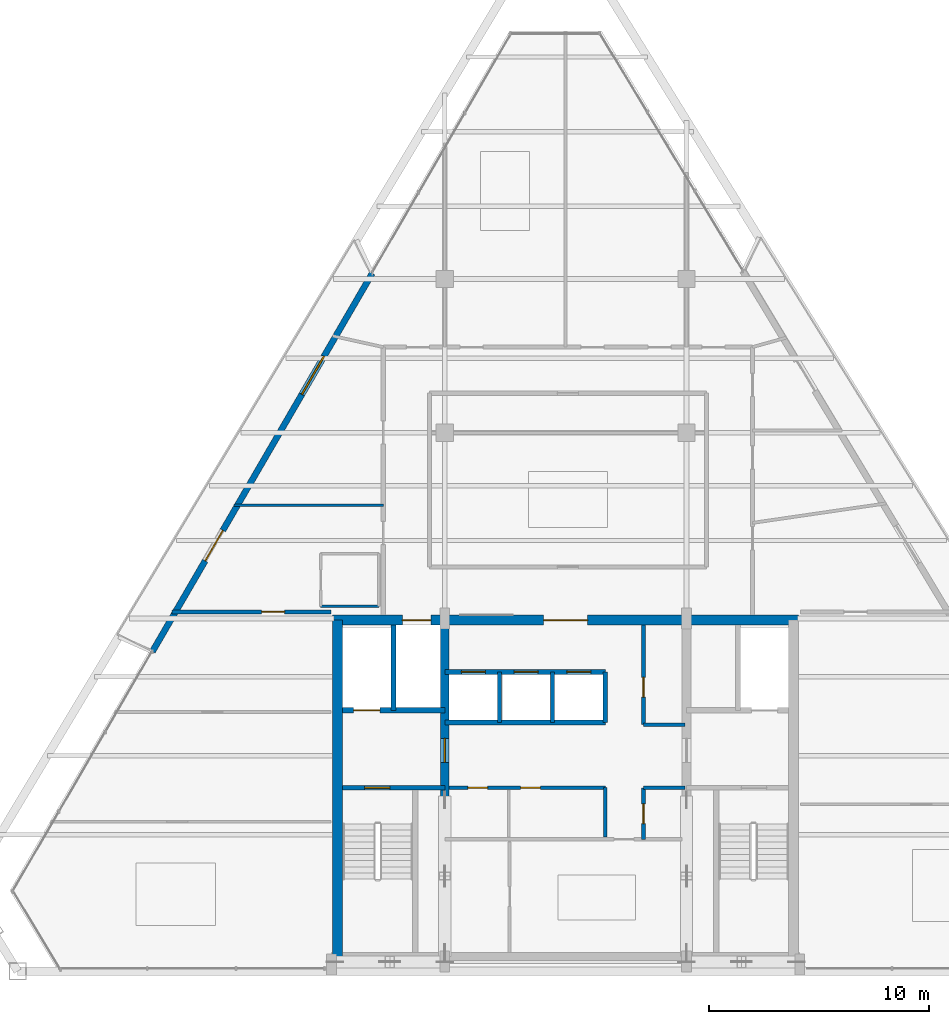
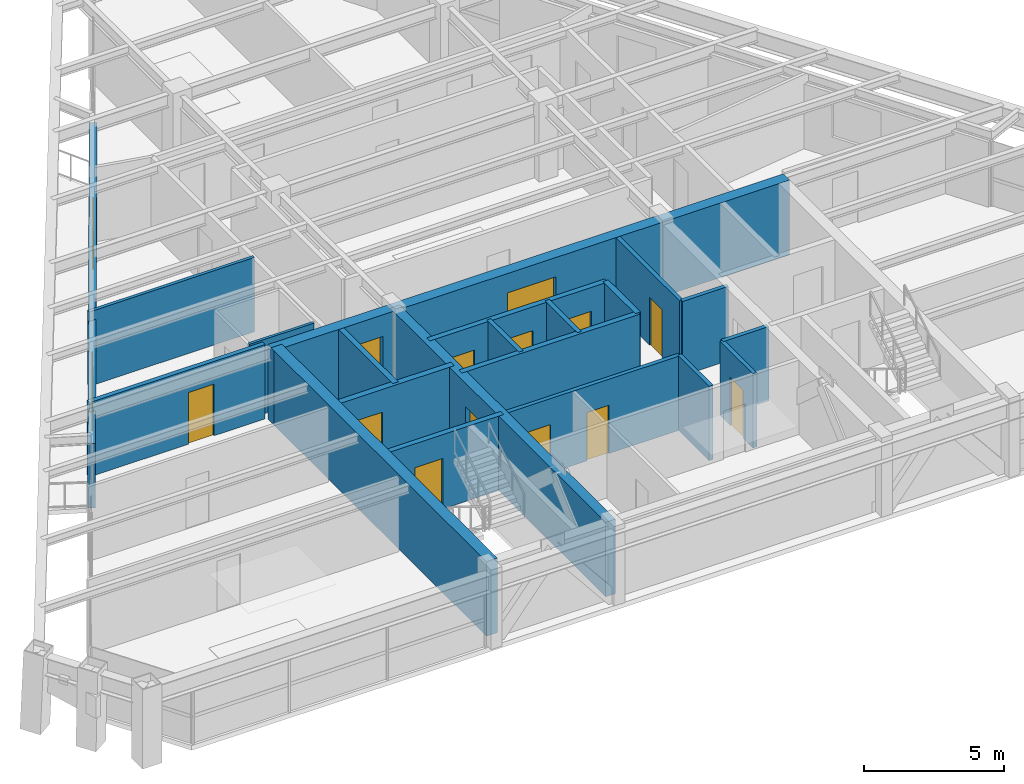
# One storey, part 9 of 13: 21 walls, 14 doors, 1 window, 15 openings.
"""IFC4 building model written with IfcOpenShell, lengths in metres."""

from ifc_helpers import new_model, si_unit, direction, frame, frame_2d, origin, place, context, subcontext, project, spatial, rectangle, extrude, source, transform, mapped, material, layer, layer_set, type_object, type_shapes, element, fill, save


model = new_model("IFC4")

# Units and contexts
model_context = context("Model", 3, precision=1e-05, world=origin(), true_north=direction((0.0, 1.0)))
body_context = subcontext(model_context, "Body", "Model", "MODEL_VIEW")
ifc_project = project(units=[si_unit("LENGTHUNIT", "METRE"), si_unit("AREAUNIT", "SQUARE_METRE"), si_unit("VOLUMEUNIT", "CUBIC_METRE"), si_unit("PLANEANGLEUNIT", "RADIAN"), si_unit("MASSUNIT", "GRAM", prefix="KILO")], contexts=[model_context])

# Site, building, storey
site_placement = place(None, origin())
site = spatial("IfcSite", under=ifc_project, at=site_placement, CompositionType="ELEMENT")
building_placement = place(site_placement, origin())
building = spatial("IfcBuilding", under=site, at=building_placement, Name="Varnakhor Terracotta Tower", CompositionType="ELEMENT")
storey_placement = place(building_placement, frame((0.0, 0.0, 262.64990234375)))
storey = spatial("IfcBuildingStorey", under=building, at=storey_placement, Name="L68", CompositionType="ELEMENT", Elevation=262.64990234375)

# Wall
ifc_material_1 = material(Name="Moisture-Resistant Tile-Backed Partition", Category="gypsum")
ifc_layer_1 = layer(ifc_material_1, 0.114990234375, Name="Moisture-Resistant Tile-Backed Partition")
ifc_layer_set_1 = layer_set([ifc_layer_1], Name="Moisture-Resistant Tile-Backed Partition")
wall_type_1 = type_object("IfcWallType", Name="WAL-BATH-115", PredefinedType="PARTITIONING", material=ifc_layer_set_1)
wall_1_placement = place(storey_placement, frame((-11.14990234375, 16.60009765625, 0.0), z_axis=(0.0, 0.0, 1.0), x_axis=(1.0, 0.0, 0.0)))
element("IfcWall", 1, at=wall_1_placement, inside=storey, type_object=wall_type_1, Name="L68 En-Suite 1 Wall S", PredefinedType="PARTITIONING", context=body_context, shape_type="SweptSolid", body=[
    extrude(rectangle(XDim=2.64990234375, YDim=0.114990234375, at=frame_2d((1.324951171875, 0.0))), origin(), (0.0, 0.0, 1.0), 3.232177734375),
])

# Wall, openings, doors
ifc_material_2 = material(Name="Concrete C50/60", Category="concrete")
ifc_layer_2 = layer(ifc_material_2, 0.449951171875, Name="Concrete C50/60")
ifc_layer_set_2 = layer_set([ifc_layer_2], Name="Concrete C50/60")
wall_type_2 = type_object("IfcWallType", Name="WAL-CORE-450", PredefinedType="SHEAR", material=ifc_layer_set_2)
wall_2_placement = place(storey_placement, frame((-10.60009765625, 15.97509765625, 0.0), z_axis=(0.0, 0.0, 1.0), x_axis=(1.0, 0.0, 0.0)))
wall_2 = element("IfcWall", 2, at=wall_2_placement, inside=storey, type_object=wall_type_2, Name="L68 North Core Shear Wall", PredefinedType="SHEAR", context=body_context, shape_type="SweptSolid", body=[
    extrude(rectangle(XDim=21.2001953125, YDim=0.449951171875, at=frame_2d((10.60009765625, 0.0))), origin(), (0.0, 0.0, 1.0), 3.239990234375),
])
opening_1_placement = place(wall_2_placement, frame((3.169921875, 0.0, 0.0)))
opening_1 = element("IfcOpeningElement", 3, at=opening_1_placement, cuts=wall_2, Name="Opening LD-03", PredefinedType="OPENING", context=body_context, shape_type="SweptSolid", body=[
    extrude(rectangle(XDim=1.300048828125, YDim=2.300048828125, at=frame_2d((0.64990234375, 1.14990234375))), frame((0.0, 0.23486328125, 0.0), z_axis=(0.0, -1.0, 0.0), x_axis=(1.0, 0.0, 0.0)), (0.0, 0.0, 1.0), 0.469970703125),
])
opening_2_placement = place(wall_2_placement, frame((9.60009765625, 0.0, 0.0)))
opening_2 = element("IfcOpeningElement", 4, at=opening_2_placement, cuts=wall_2, Name="Opening DR-32", PredefinedType="OPENING", context=body_context, shape_type="SweptSolid", body=[
    extrude(rectangle(XDim=2.0, YDim=2.39990234375, at=frame_2d((1.0, 1.199951171875))), frame((0.0, 0.23486328125, 0.0), z_axis=(0.0, -1.0, 0.0), x_axis=(1.0, 0.0, 0.0)), (0.0, 0.0, 1.0), 0.469970703125),
])
ifc_material_3 = material(Name="Heavy-Duty Goods Sliding Lift Landing Door", Category="steel")
door_type_1 = type_object("IfcDoorType", Name="LD-SRV-1300X2300", OperationType="NOTDEFINED", PredefinedType="DOOR", material=ifc_material_3)
shared_shape_1 = source(origin(), body_context, "Body", "SweptSolid", [
    extrude(rectangle(XDim=1.300048828125, YDim=2.300048828125, at=frame_2d((0.64990234375, 1.14990234375))), frame((0.0, 0.02490234375, 0.0), z_axis=(0.0, -1.0, 0.0), x_axis=(1.0, 0.0, 0.0)), (0.0, 0.0, 1.0), 0.050048828125),
])
type_shapes(door_type_1, [shared_shape_1])
door_1_placement = place(opening_1_placement, origin())
door_1 = element("IfcDoor", 5, at=door_1_placement, inside=storey, type_object=door_type_1, Name="L68 Service Lift SVL-1 Landing Door", OperationType="SLIDING_TO_RIGHT", OverallHeight=2.300048828125, OverallWidth=1.300048828125, PredefinedType="DOOR", context=body_context, shape_type="MappedRepresentation", body=[
    mapped(shared_shape_1, transform((0.0, 0.0, 0.0), scale=1.0)),
])
fill(opening_1, door_1)
ifc_material_4 = material(Name="Acoustic Double Assembly Fire Door", Category="wood")
door_type_2 = type_object("IfcDoorType", Name="DR-HALL-2000X2400", OperationType="NOTDEFINED", PredefinedType="DOOR", material=ifc_material_4)
shared_shape_2 = source(origin(), body_context, "Body", "SweptSolid", [
    extrude(rectangle(XDim=2.0, YDim=2.39990234375, at=frame_2d((1.0, 1.199951171875))), frame((0.0, 0.02490234375, 0.0), z_axis=(0.0, -1.0, 0.0), x_axis=(1.0, 0.0, 0.0)), (0.0, 0.0, 1.0), 0.050048828125),
])
type_shapes(door_type_2, [shared_shape_2])
door_2_placement = place(opening_2_placement, origin())
door_2 = element("IfcDoor", 6, at=door_2_placement, inside=storey, type_object=door_type_2, Name="L68 Core Main Lobby Double Door", OperationType="DOUBLE_DOOR_SINGLE_SWING", OverallHeight=2.39990234375, OverallWidth=2.0, PredefinedType="DOOR", context=body_context, shape_type="MappedRepresentation", body=[
    mapped(shared_shape_2, transform((0.0, 0.0, 0.0), scale=1.0)),
])
fill(opening_2, door_2)

# Wall
wall_3_placement = place(storey_placement, frame((-10.375, 0.625, 0.0), z_axis=(0.0, 0.0, 1.0), x_axis=(0.0, 1.0, 0.0)))
element("IfcWall", 7, at=wall_3_placement, inside=storey, type_object=wall_type_2, Name="L68 West Core Shear Wall", PredefinedType="SHEAR", context=body_context, shape_type="SweptSolid", body=[
    extrude(rectangle(XDim=15.35009765625, YDim=0.449951171875, at=frame_2d((7.675048828125, 0.0))), origin(), (0.0, 0.0, 1.0), 3.239990234375),
])

# Wall, opening, door
ifc_layer_3 = layer(ifc_material_2, 0.39990234375, Name="Concrete C50/60")
ifc_layer_set_3 = layer_set([ifc_layer_3], Name="Concrete C50/60")
wall_type_3 = type_object("IfcWallType", Name="WAL-CORE-WEB-400", PredefinedType="SHEAR", material=ifc_layer_set_3)
wall_4_placement = place(storey_placement, frame((-5.5, 0.625, 0.0), z_axis=(0.0, 0.0, 1.0), x_axis=(0.0, 1.0, 0.0)))
wall_4 = element("IfcWall", 8, at=wall_4_placement, inside=storey, type_object=wall_type_3, Name="L68 West Core Web Shear Wall", PredefinedType="SHEAR", context=body_context, shape_type="SweptSolid", body=[
    extrude(rectangle(XDim=15.35009765625, YDim=0.39990234375, at=frame_2d((7.675048828125, 0.0))), origin(), (0.0, 0.0, 1.0), 3.239990234375),
])
opening_3_placement = place(wall_4_placement, frame((8.875, 0.0, 0.0)))
opening_3 = element("IfcOpeningElement", 9, at=opening_3_placement, cuts=wall_4, Name="Opening DR-25", PredefinedType="OPENING", context=body_context, shape_type="SweptSolid", body=[
    extrude(rectangle(XDim=1.10009765625, YDim=2.199951171875, at=frame_2d((0.550048828125, 1.10009765625))), frame((0.0, 0.2099609375, 0.0), z_axis=(0.0, -1.0, 0.0), x_axis=(1.0, 0.0, 0.0)), (0.0, 0.0, 1.0), 0.419921875),
])
ifc_material_5 = material(Name="Firefighting Lobby Self-Closing Fire Door", Category="steel")
door_type_3 = type_object("IfcDoorType", Name="DR-FFL-1100X2200", OperationType="NOTDEFINED", PredefinedType="DOOR", material=ifc_material_5)
shared_shape_3 = source(origin(), body_context, "Body", "SweptSolid", [
    extrude(rectangle(XDim=1.10009765625, YDim=2.199951171875, at=frame_2d((0.550048828125, 1.10009765625))), frame((0.0, 0.02490234375, 0.0), z_axis=(0.0, -1.0, 0.0), x_axis=(1.0, 0.0, 0.0)), (0.0, 0.0, 1.0), 0.050048828125),
])
type_shapes(door_type_3, [shared_shape_3])
door_3_placement = place(opening_3_placement, origin())
door_3 = element("IfcDoor", 10, at=door_3_placement, inside=storey, type_object=door_type_3, Name="L68 West Firefighting Lobby Door", OperationType="SINGLE_SWING_RIGHT", OverallHeight=2.199951171875, OverallWidth=1.10009765625, PredefinedType="DOOR", context=body_context, shape_type="MappedRepresentation", body=[
    mapped(shared_shape_3, transform((0.0, 0.0, 0.0), scale=1.0)),
])
fill(opening_3, door_3)

ifc_material_6 = material(Name="Fire-Rated Gypsum Stud Partition", Category="gypsum")
ifc_layer_4 = layer(ifc_material_6, 0.18505859375, Name="Fire-Rated Gypsum Stud Partition")
ifc_layer_set_4 = layer_set([ifc_layer_4], Name="Fire-Rated Gypsum Stud Partition")
wall_type_4 = type_object("IfcWallType", Name="WAL-CORR-185", PredefinedType="PARTITIONING", material=ifc_layer_set_4)
wall_5_placement = place(storey_placement, frame((-17.9052734375, 16.35009765625, 0.0), z_axis=(0.0, 0.0, 1.0), x_axis=(1.0, 0.0, 0.0)))
wall_5 = element("IfcWall", 11, at=wall_5_placement, inside=storey, type_object=wall_type_4, Name="L68 South West Guest Entry Wall", PredefinedType="PARTITIONING", context=body_context, shape_type="SweptSolid", body=[
    extrude(rectangle(XDim=7.225341796875, YDim=0.18505859375, at=frame_2d((3.61279296875, 0.0))), origin(), (0.0, 0.0, 1.0), 3.232177734375),
])
opening_4_placement = place(wall_5_placement, frame((4.0693359375, 0.0, 0.0)))
opening_4 = element("IfcOpeningElement", 12, at=opening_4_placement, cuts=wall_5, Name="Opening DR-95", PredefinedType="OPENING", context=body_context, shape_type="SweptSolid", body=[
    extrude(rectangle(XDim=1.050048828125, YDim=2.25, at=frame_2d((0.52490234375, 1.125))), frame((0.0, 0.1025390625, 0.0), z_axis=(0.0, -1.0, 0.0), x_axis=(1.0, 0.0, 0.0)), (0.0, 0.0, 1.0), 0.205078125),
])
ifc_material_7 = material(Name="Solid-Core Timber Tenant/Hotel Entrance Door", Category="wood")
door_type_4 = type_object("IfcDoorType", Name="DR-SUITE-1050X2250", OperationType="NOTDEFINED", PredefinedType="DOOR", material=ifc_material_7)
shared_shape_4 = source(origin(), body_context, "Body", "SweptSolid", [
    extrude(rectangle(XDim=1.050048828125, YDim=2.25, at=frame_2d((0.52490234375, 1.125))), frame((0.0, 0.02490234375, 0.0), z_axis=(0.0, -1.0, 0.0), x_axis=(1.0, 0.0, 0.0)), (0.0, 0.0, 1.0), 0.050048828125),
])
type_shapes(door_type_4, [shared_shape_4])
door_4_placement = place(opening_4_placement, origin())
door_4 = element("IfcDoor", 13, at=door_4_placement, inside=storey, type_object=door_type_4, Name="L68 SW Suite Entry Door", OperationType="SINGLE_SWING_LEFT", OverallHeight=2.25, OverallWidth=1.050048828125, PredefinedType="DOOR", context=body_context, shape_type="MappedRepresentation", body=[
    mapped(shared_shape_4, transform((0.0, 0.0, 0.0), scale=1.0)),
])
fill(opening_4, door_4)

# Wall, openings, door, window
ifc_material_8 = material(Name="Extruded Architectural Terracotta Assembly", Category="masonry")
ifc_layer_5 = layer(ifc_material_8, 0.280029296875, Name="Extruded Architectural Terracotta Assembly")
ifc_layer_set_5 = layer_set([ifc_layer_5], Name="Extruded Architectural Terracotta Assembly")
wall_type_5 = type_object("IfcWallType", Name="WAL-EXT-TERRACOTTA-280", PredefinedType="SOLIDWALL", material=ifc_layer_set_5)
wall_6_placement = place(storey_placement, frame((-18.8037109375, 14.54541015625, 0.0), z_axis=(0.0, 0.0, 1.0), x_axis=(0.502487235879, 0.864584627309, 0.0)))
wall_6 = element("IfcWall", 14, at=wall_6_placement, inside=storey, type_object=wall_type_5, Name="L68 W Loggia Insulated Terracotta Wall", PredefinedType="SOLIDWALL", context=body_context, shape_type="SweptSolid", body=[
    extrude(rectangle(XDim=19.908203125, YDim=0.280029296875, at=frame_2d((9.9541015625, 0.0))), origin(), (0.0, 0.0, 1.0), 2.820068359375),
])
opening_5_placement = place(wall_6_placement, frame((4.778076171875, 0.0, 0.0)))
opening_5 = element("IfcOpeningElement", 15, at=opening_5_placement, cuts=wall_6, Name="Opening DR-62", PredefinedType="OPENING", context=body_context, shape_type="SweptSolid", body=[
    extrude(rectangle(XDim=1.60009765625, YDim=2.35009765625, at=frame_2d((0.800048828125, 1.175048828125))), frame((0.0, 0.14990234375, 0.0), z_axis=(0.0, -1.0, 0.0), x_axis=(1.0, 0.0, 0.0)), (0.0, 0.0, 1.0), 0.300048828125),
])
opening_6_placement = place(wall_6_placement, frame((13.53759765625, 0.0, 0.89990234375)))
opening_6 = element("IfcOpeningElement", 16, at=opening_6_placement, cuts=wall_6, Name="Opening WN-63", PredefinedType="OPENING", context=body_context, shape_type="SweptSolid", body=[
    extrude(rectangle(XDim=2.0, YDim=1.75, at=frame_2d((1.0, 0.875))), frame((0.0, 0.14990234375, 0.0), z_axis=(0.0, -1.0, 0.0), x_axis=(1.0, 0.0, 0.0)), (0.0, 0.0, 1.0), 0.300048828125),
])
ifc_material_9 = material(Name="Thermally Broken Sliding Glass Loggia Door", Category="glass")
door_type_5 = type_object("IfcDoorType", Name="DR-EXT-LOGGIA-1600X2350", OperationType="NOTDEFINED", PredefinedType="DOOR", material=ifc_material_9)
shared_shape_5 = source(origin(), body_context, "Body", "SweptSolid", [
    extrude(rectangle(XDim=1.60009765625, YDim=2.35009765625, at=frame_2d((0.800048828125, 1.175048828125))), frame((0.0, 0.02490234375, 0.0), z_axis=(0.0, -1.0, 0.0), x_axis=(1.0, 0.0, 0.0)), (0.0, 0.0, 1.0), 0.050048828125),
])
type_shapes(door_type_5, [shared_shape_5])
door_5_placement = place(opening_5_placement, origin())
door_5 = element("IfcDoor", 17, at=door_5_placement, inside=storey, type_object=door_type_5, Name="L68 W Recessed Loggia Sliding Door", OperationType="SLIDING_TO_LEFT", OverallHeight=2.35009765625, OverallWidth=1.60009765625, PredefinedType="DOOR", context=body_context, shape_type="MappedRepresentation", body=[
    mapped(shared_shape_5, transform((0.0, 0.0, 0.0), scale=1.0)),
])
fill(opening_5, door_5)
ifc_material_10 = material(Name="Solar-Control Low-E Insulated Glass Unit", Category="glass")
window_type = type_object("IfcWindowType", Name="WIN-HTL-2000X1950", PartitioningType="SINGLE_PANEL", PredefinedType="WINDOW", material=ifc_material_10)
shared_shape_6 = source(origin(), body_context, "Body", "SweptSolid", [
    extrude(rectangle(XDim=2.0, YDim=1.75, at=frame_2d((1.0, 0.875))), frame((0.0, 0.030029296875, 0.0), z_axis=(0.0, -1.0, 0.0), x_axis=(1.0, 0.0, 0.0)), (0.0, 0.0, 1.0), 0.06005859375),
])
type_shapes(window_type, [shared_shape_6])
window_placement = place(opening_6_placement, origin())
window = element("IfcWindow", 18, at=window_placement, inside=storey, type_object=window_type, Name="L68 W Facet Punched Window", OverallHeight=1.75, OverallWidth=2.0, PartitioningType="SINGLE_PANEL", PredefinedType="WINDOW", context=body_context, shape_type="MappedRepresentation", body=[
    mapped(shared_shape_6, transform((0.0, 0.0, 0.0), scale=1.0)),
])
fill(opening_6, window)

# Wall, opening, door
ifc_material_11 = material(Name="Concrete C40/50", Category="concrete")
ifc_layer_6 = layer(ifc_material_11, 0.219970703125, Name="Concrete C40/50")
ifc_layer_set_6 = layer_set([ifc_layer_6], Name="Concrete C40/50")
wall_type_6 = type_object("IfcWallType", Name="WAL-FFLOBBY-220", PredefinedType="SOLIDWALL", material=ifc_layer_set_6)
wall_7_placement = place(storey_placement, frame((-5.5, 8.35009765625, 0.0), z_axis=(0.0, 0.0, 1.0), x_axis=(-1.0, 0.0, 0.0)))
wall_7 = element("IfcWall", 19, at=wall_7_placement, inside=storey, type_object=wall_type_6, Name="L68 West Firefighting Lobby Stair Wall", PredefinedType="SOLIDWALL", context=body_context, shape_type="SweptSolid", body=[
    extrude(rectangle(XDim=4.64990234375, YDim=0.219970703125, at=frame_2d((2.324951171875, 0.0))), origin(), (0.0, 0.0, 1.0), 3.239990234375),
])
opening_7_placement = place(wall_7_placement, frame((2.5, 0.0, 0.0)))
opening_7 = element("IfcOpeningElement", 20, at=opening_7_placement, cuts=wall_7, Name="Opening DR-34", PredefinedType="OPENING", context=body_context, shape_type="SweptSolid", body=[
    extrude(rectangle(XDim=1.14990234375, YDim=2.199951171875, at=frame_2d((0.574951171875, 1.10009765625))), frame((0.0, 0.1201171875, 0.0), z_axis=(0.0, -1.0, 0.0), x_axis=(1.0, 0.0, 0.0)), (0.0, 0.0, 1.0), 0.239990234375),
])
ifc_material_12 = material(Name="Self-Closing Smoke-Sealed Steel Fire Door", Category="steel")
door_type_6 = type_object("IfcDoorType", Name="DR-STAIR-1150X2200", OperationType="NOTDEFINED", PredefinedType="DOOR", material=ifc_material_12)
shared_shape_7 = source(origin(), body_context, "Body", "SweptSolid", [
    extrude(rectangle(XDim=1.14990234375, YDim=2.199951171875, at=frame_2d((0.574951171875, 1.10009765625))), frame((0.0, 0.02490234375, 0.0), z_axis=(0.0, -1.0, 0.0), x_axis=(1.0, 0.0, 0.0)), (0.0, 0.0, 1.0), 0.050048828125),
])
type_shapes(door_type_6, [shared_shape_7])
door_6_placement = place(opening_7_placement, origin())
door_6 = element("IfcDoor", 21, at=door_6_placement, inside=storey, type_object=door_type_6, Name="L68 Exit Stair ST-1 Fire Door", OperationType="SINGLE_SWING_LEFT", OverallHeight=2.199951171875, OverallWidth=1.14990234375, PredefinedType="DOOR", context=body_context, shape_type="MappedRepresentation", body=[
    mapped(shared_shape_7, transform((0.0, 0.0, 0.0), scale=1.0)),
])
fill(opening_7, door_6)

# Walls
ifc_material_13 = material(Name="Acoustic Hotel Room Partition", Category="gypsum")
ifc_layer_7 = layer(ifc_material_13, 0.1298828125, Name="Acoustic Hotel Room Partition")
ifc_layer_set_7 = layer_set([ifc_layer_7], Name="Acoustic Hotel Room Partition")
wall_type_7 = type_object("IfcWallType", Name="WAL-PART-130", PredefinedType="PARTITIONING", material=ifc_layer_set_7)
wall_8_placement = place(storey_placement, frame((-15.08642578125, 21.199951171875, 0.0), z_axis=(0.0, 0.0, 1.0), x_axis=(1.0, 0.0, 0.0)))
element("IfcWall", 22, at=wall_8_placement, inside=storey, type_object=wall_type_7, Name="L68 West Key Cut 1", PredefinedType="PARTITIONING", context=body_context, shape_type="SweptSolid", body=[
    extrude(rectangle(XDim=6.786376953125, YDim=0.1298828125, at=frame_2d((3.39306640625, 0.0))), origin(), (0.0, 0.0, 1.0), 3.232177734375),
])
ifc_layer_8 = layer(ifc_material_11, 0.179931640625, Name="Concrete C40/50")
ifc_layer_set_8 = layer_set([ifc_layer_8], Name="Concrete C40/50")
wall_type_8 = type_object("IfcWallType", Name="WAL-SHAFT-180", PredefinedType="SOLIDWALL", material=ifc_layer_set_8)
for number, where, z_axis, x_axis, name in (
    (23, (-3.0, 11.320068359375, 0.0), (0.0, 0.0, 1.0), (0.0, 1.0, 0.0), "L68 PL-3A Divider"),
    (24, (-0.60009765625, 11.320068359375, 0.0), (0.0, 0.0, 1.0), (0.0, 1.0, 0.0), "L68 PL-3B Divider"),
):
    element("IfcWall", number, at=place(storey_placement, frame(where, z_axis=z_axis, x_axis=x_axis)), inside=storey, type_object=wall_type_8, Name=name, PredefinedType="SOLIDWALL", context=body_context, shape_type="SweptSolid", body=[
        extrude(rectangle(XDim=2.300048828125, YDim=0.179931640625, at=frame_2d((1.14990234375, 0.0))), origin(), (0.0, 0.0, 1.0), 3.239990234375),
    ])
ifc_layer_9 = layer(ifc_material_11, 0.219970703125, Name="Concrete C40/50")
ifc_layer_set_9 = layer_set([ifc_layer_9], Name="Concrete C40/50")
wall_type_9 = type_object("IfcWallType", Name="WAL-SHAFT-220", PredefinedType="SOLIDWALL", material=ifc_layer_set_9)
wall_9_placement = place(storey_placement, frame((-7.840087890625, 11.8701171875, 0.0), z_axis=(0.0, 0.0, 1.0), x_axis=(0.0, 1.0, 0.0)))
element("IfcWall", 25, at=wall_9_placement, inside=storey, type_object=wall_type_9, Name="L68 Lift FFL-1 and SVL-1 Divider Wall", PredefinedType="SOLIDWALL", context=body_context, shape_type="SweptSolid", body=[
    extrude(rectangle(XDim=3.8798828125, YDim=0.219970703125, at=frame_2d((1.93994140625, 0.0))), origin(), (0.0, 0.0, 1.0), 3.239990234375),
])
wall_10_placement = place(storey_placement, frame((-5.5, 11.320068359375, 0.0), z_axis=(0.0, 0.0, 1.0), x_axis=(1.0, 0.0, 0.0)))
element("IfcWall", 26, at=wall_10_placement, inside=storey, type_object=wall_type_9, Name="L68 Bank 3 South Shaft Wall", PredefinedType="SOLIDWALL", context=body_context, shape_type="SweptSolid", body=[
    extrude(rectangle(XDim=7.320068359375, YDim=0.219970703125, at=frame_2d((3.66015625, 0.0))), origin(), (0.0, 0.0, 1.0), 3.239990234375),
])

# Wall, openings, doors
wall_11_placement = place(storey_placement, frame((-5.5, 13.6201171875, 0.0), z_axis=(0.0, 0.0, 1.0), x_axis=(1.0, 0.0, 0.0)))
wall_11 = element("IfcWall", 27, at=wall_11_placement, inside=storey, type_object=wall_type_9, Name="L68 Bank 3 North Shaft Wall", PredefinedType="SOLIDWALL", context=body_context, shape_type="SweptSolid", body=[
    extrude(rectangle(XDim=7.320068359375, YDim=0.219970703125, at=frame_2d((3.66015625, 0.0))), origin(), (0.0, 0.0, 1.0), 3.239990234375),
])
opening_8_placement = place(wall_11_placement, frame((0.75, 0.0, 0.0)))
opening_8 = element("IfcOpeningElement", 28, at=opening_8_placement, cuts=wall_11, Name="Opening LD-01", PredefinedType="OPENING", context=body_context, shape_type="SweptSolid", body=[
    extrude(rectangle(XDim=1.10009765625, YDim=2.199951171875, at=frame_2d((0.550048828125, 1.10009765625))), frame((0.0, 0.1201171875, 0.0), z_axis=(0.0, -1.0, 0.0), x_axis=(1.0, 0.0, 0.0)), (0.0, 0.0, 1.0), 0.239990234375),
])
opening_9_placement = place(wall_11_placement, frame((3.14990234375, 0.0, 0.0)))
opening_9 = element("IfcOpeningElement", 29, at=opening_9_placement, cuts=wall_11, Name="Opening LD-01", PredefinedType="OPENING", context=body_context, shape_type="SweptSolid", body=[
    extrude(rectangle(XDim=1.10009765625, YDim=2.199951171875, at=frame_2d((0.550048828125, 1.10009765625))), frame((0.0, 0.1201171875, 0.0), z_axis=(0.0, -1.0, 0.0), x_axis=(1.0, 0.0, 0.0)), (0.0, 0.0, 1.0), 0.239990234375),
])
opening_10_placement = place(wall_11_placement, frame((5.550048828125, 0.0, 0.0)))
opening_10 = element("IfcOpeningElement", 30, at=opening_10_placement, cuts=wall_11, Name="Opening LD-01", PredefinedType="OPENING", context=body_context, shape_type="SweptSolid", body=[
    extrude(rectangle(XDim=1.10009765625, YDim=2.199951171875, at=frame_2d((0.550048828125, 1.10009765625))), frame((0.0, 0.1201171875, 0.0), z_axis=(0.0, -1.0, 0.0), x_axis=(1.0, 0.0, 0.0)), (0.0, 0.0, 1.0), 0.239990234375),
])
ifc_material_14 = material(Name="Brushed Stainless Steel Sliding Lift Landing Door", Category="steel")
door_type_7 = type_object("IfcDoorType", Name="LD-PASS-1100X2200", OperationType="NOTDEFINED", PredefinedType="DOOR", material=ifc_material_14)
shared_shape_8 = source(origin(), body_context, "Body", "SweptSolid", [
    extrude(rectangle(XDim=1.10009765625, YDim=2.199951171875, at=frame_2d((0.550048828125, 1.10009765625))), frame((0.0, 0.02490234375, 0.0), z_axis=(0.0, -1.0, 0.0), x_axis=(1.0, 0.0, 0.0)), (0.0, 0.0, 1.0), 0.050048828125),
])
type_shapes(door_type_7, [shared_shape_8])
door_7_placement = place(opening_8_placement, origin())
door_7 = element("IfcDoor", 31, at=door_7_placement, inside=storey, type_object=door_type_7, Name="L68 Passenger Lift PL-3A Landing Door", OperationType="SLIDING_TO_RIGHT", OverallHeight=2.199951171875, OverallWidth=1.10009765625, PredefinedType="DOOR", context=body_context, shape_type="MappedRepresentation", body=[
    mapped(shared_shape_8, transform((0.0, 0.0, 0.0), scale=1.0)),
])
fill(opening_8, door_7)
door_8_placement = place(opening_9_placement, origin())
door_8 = element("IfcDoor", 32, at=door_8_placement, inside=storey, type_object=door_type_7, Name="L68 Passenger Lift PL-3B Landing Door", OperationType="SLIDING_TO_RIGHT", OverallHeight=2.199951171875, OverallWidth=1.10009765625, PredefinedType="DOOR", context=body_context, shape_type="MappedRepresentation", body=[
    mapped(shared_shape_8, transform((0.0, 0.0, 0.0), scale=1.0)),
])
fill(opening_9, door_8)
door_9_placement = place(opening_10_placement, origin())
door_9 = element("IfcDoor", 33, at=door_9_placement, inside=storey, type_object=door_type_7, Name="L68 Passenger Lift PL-3C Landing Door", OperationType="SLIDING_TO_RIGHT", OverallHeight=2.199951171875, OverallWidth=1.10009765625, PredefinedType="DOOR", context=body_context, shape_type="MappedRepresentation", body=[
    mapped(shared_shape_8, transform((0.0, 0.0, 0.0), scale=1.0)),
])
fill(opening_10, door_9)

# Wall
wall_12_placement = place(storey_placement, frame((1.800048828125, 11.320068359375, 0.0), z_axis=(0.0, 0.0, 1.0), x_axis=(0.0, 1.0, 0.0)))
element("IfcWall", 34, at=wall_12_placement, inside=storey, type_object=wall_type_9, Name="L68 Bank 3 East Shaft Wall", PredefinedType="SOLIDWALL", context=body_context, shape_type="SweptSolid", body=[
    extrude(rectangle(XDim=2.300048828125, YDim=0.219970703125, at=frame_2d((1.14990234375, 0.0))), origin(), (0.0, 0.0, 1.0), 3.239990234375),
])

# Wall, opening, door
ifc_layer_10 = layer(ifc_material_11, 0.25, Name="Concrete C40/50")
ifc_layer_set_10 = layer_set([ifc_layer_10], Name="Concrete C40/50")
wall_type_10 = type_object("IfcWallType", Name="WAL-SHAFT-250", PredefinedType="SOLIDWALL", material=ifc_layer_set_10)
wall_13_placement = place(storey_placement, frame((-5.5, 11.8701171875, 0.0), z_axis=(0.0, 0.0, 1.0), x_axis=(-1.0, 0.0, 0.0)))
wall_13 = element("IfcWall", 35, at=wall_13_placement, inside=storey, type_object=wall_type_10, Name="L68 Lift FFL-1 Shaft Front Wall", PredefinedType="SOLIDWALL", context=body_context, shape_type="SweptSolid", body=[
    extrude(rectangle(XDim=4.64990234375, YDim=0.25, at=frame_2d((2.324951171875, 0.0))), origin(), (0.0, 0.0, 1.0), 3.239990234375),
])
opening_11_placement = place(wall_13_placement, frame((2.949951171875, 0.0, 0.0)))
opening_11 = element("IfcOpeningElement", 36, at=opening_11_placement, cuts=wall_13, Name="Opening LD-02", PredefinedType="OPENING", context=body_context, shape_type="SweptSolid", body=[
    extrude(rectangle(XDim=1.199951171875, YDim=2.25, at=frame_2d((0.60009765625, 1.125))), frame((0.0, 0.135009765625, 0.0), z_axis=(0.0, -1.0, 0.0), x_axis=(1.0, 0.0, 0.0)), (0.0, 0.0, 1.0), 0.27001953125),
])
ifc_material_15 = material(Name="Firefighting Stretcher Sliding Lift Landing Door", Category="steel")
door_type_8 = type_object("IfcDoorType", Name="LD-FFL-1200X2250", OperationType="NOTDEFINED", PredefinedType="DOOR", material=ifc_material_15)
shared_shape_9 = source(origin(), body_context, "Body", "SweptSolid", [
    extrude(rectangle(XDim=1.199951171875, YDim=2.25, at=frame_2d((0.60009765625, 1.125))), frame((0.0, 0.02490234375, 0.0), z_axis=(0.0, -1.0, 0.0), x_axis=(1.0, 0.0, 0.0)), (0.0, 0.0, 1.0), 0.050048828125),
])
type_shapes(door_type_8, [shared_shape_9])
door_10_placement = place(opening_11_placement, origin())
door_10 = element("IfcDoor", 37, at=door_10_placement, inside=storey, type_object=door_type_8, Name="L68 Firefighting Lift FFL-1 Landing Door", OperationType="SLIDING_TO_LEFT", OverallHeight=2.25, OverallWidth=1.199951171875, PredefinedType="DOOR", context=body_context, shape_type="MappedRepresentation", body=[
    mapped(shared_shape_9, transform((0.0, 0.0, 0.0), scale=1.0)),
])
fill(opening_11, door_10)

ifc_material_16 = material(Name="Acoustic Fire-Rated Partition", Category="gypsum")
ifc_layer_11 = layer(ifc_material_16, 0.1650390625, Name="Acoustic Fire-Rated Partition")
ifc_layer_set_11 = layer_set([ifc_layer_11], Name="Acoustic Fire-Rated Partition")
wall_type_11 = type_object("IfcWallType", Name="WAL-TENANCY-165", PredefinedType="PARTITIONING", material=ifc_layer_set_11)
wall_14_placement = place(storey_placement, frame((3.5400390625, 6.0, 0.0), z_axis=(0.0, 0.0, 1.0), x_axis=(0.0, 1.0, 0.0)))
wall_14 = element("IfcWall", 38, at=wall_14_placement, inside=storey, type_object=wall_type_11, Name="L68 Accessible WC Rated Wall", PredefinedType="PARTITIONING", context=body_context, shape_type="SweptSolid", body=[
    extrude(rectangle(XDim=2.340087890625, YDim=0.1650390625, at=frame_2d((1.169921875, 0.0))), origin(), (0.0, 0.0, 1.0), 3.232177734375),
])
opening_12_placement = place(wall_14_placement, frame((0.719970703125, 0.0, 0.0)))
opening_12 = element("IfcOpeningElement", 39, at=opening_12_placement, cuts=wall_14, Name="Opening DR-67", PredefinedType="OPENING", context=body_context, shape_type="SweptSolid", body=[
    extrude(rectangle(XDim=0.89990234375, YDim=2.10009765625, at=frame_2d((0.449951171875, 1.050048828125))), frame((0.0, 0.092529296875, 0.0), z_axis=(0.0, -1.0, 0.0), x_axis=(1.0, 0.0, 0.0)), (0.0, 0.0, 1.0), 0.18505859375),
])
ifc_material_17 = material(Name="Steel Service Riser Fire Door", Category="steel")
door_type_9 = type_object("IfcDoorType", Name="DR-RISER-900X2100", OperationType="NOTDEFINED", PredefinedType="DOOR", material=ifc_material_17)
shared_shape_10 = source(origin(), body_context, "Body", "SweptSolid", [
    extrude(rectangle(XDim=0.89990234375, YDim=2.10009765625, at=frame_2d((0.449951171875, 1.050048828125))), frame((0.0, 0.02490234375, 0.0), z_axis=(0.0, -1.0, 0.0), x_axis=(1.0, 0.0, 0.0)), (0.0, 0.0, 1.0), 0.050048828125),
])
type_shapes(door_type_9, [shared_shape_10])
door_11_placement = place(opening_12_placement, origin())
door_11 = element("IfcDoor", 40, at=door_11_placement, inside=storey, type_object=door_type_9, Name="L68 Accessible WC Door", OperationType="SINGLE_SWING_LEFT", OverallHeight=2.10009765625, OverallWidth=0.89990234375, PredefinedType="DOOR", context=body_context, shape_type="MappedRepresentation", body=[
    mapped(shared_shape_10, transform((0.0, 0.0, 0.0), scale=1.0)),
])
fill(opening_12, door_11)

# Wall
wall_15_placement = place(storey_placement, frame((3.5400390625, 8.340087890625, 0.0), z_axis=(0.0, 0.0, 1.0), x_axis=(1.0, 0.0, 0.0)))
element("IfcWall", 41, at=wall_15_placement, inside=storey, type_object=wall_type_11, Name="L68 Accessible WC North Wall", PredefinedType="PARTITIONING", context=body_context, shape_type="SweptSolid", body=[
    extrude(rectangle(XDim=1.8798828125, YDim=0.1650390625, at=frame_2d((0.93994140625, 0.0))), origin(), (0.0, 0.0, 1.0), 3.232177734375),
])

# Wall, openings, doors
wall_16_placement = place(storey_placement, frame((-5.300048828125, 8.35009765625, 0.0), z_axis=(0.0, 0.0, 1.0), x_axis=(1.0, 0.0, 0.0)))
wall_16 = element("IfcWall", 42, at=wall_16_placement, inside=storey, type_object=wall_type_11, Name="L68 Reclaimed Mid-Core North Wall", PredefinedType="PARTITIONING", context=body_context, shape_type="SweptSolid", body=[
    extrude(rectangle(XDim=7.1201171875, YDim=0.1650390625, at=frame_2d((3.56005859375, 0.0))), origin(), (0.0, 0.0, 1.0), 3.232177734375),
])
opening_13_placement = place(wall_16_placement, frame((0.85009765625, 0.0, 0.0)))
opening_13 = element("IfcOpeningElement", 43, at=opening_13_placement, cuts=wall_16, Name="Opening DR-67", PredefinedType="OPENING", context=body_context, shape_type="SweptSolid", body=[
    extrude(rectangle(XDim=0.89990234375, YDim=2.10009765625, at=frame_2d((0.449951171875, 1.050048828125))), frame((0.0, 0.092529296875, 0.0), z_axis=(0.0, -1.0, 0.0), x_axis=(1.0, 0.0, 0.0)), (0.0, 0.0, 1.0), 0.18505859375),
])
opening_14_placement = place(wall_16_placement, frame((3.25, 0.0, 0.0)))
opening_14 = element("IfcOpeningElement", 44, at=opening_14_placement, cuts=wall_16, Name="Opening DR-67", PredefinedType="OPENING", context=body_context, shape_type="SweptSolid", body=[
    extrude(rectangle(XDim=0.89990234375, YDim=2.10009765625, at=frame_2d((0.449951171875, 1.050048828125))), frame((0.0, 0.092529296875, 0.0), z_axis=(0.0, -1.0, 0.0), x_axis=(1.0, 0.0, 0.0)), (0.0, 0.0, 1.0), 0.18505859375),
])
door_12_placement = place(opening_13_placement, origin())
door_12 = element("IfcDoor", 45, at=door_12_placement, inside=storey, type_object=door_type_9, Name="L68 Core West Restroom Door", OperationType="SINGLE_SWING_RIGHT", OverallHeight=2.10009765625, OverallWidth=0.89990234375, PredefinedType="DOOR", context=body_context, shape_type="MappedRepresentation", body=[
    mapped(shared_shape_10, transform((0.0, 0.0, 0.0), scale=1.0)),
])
fill(opening_13, door_12)
door_13_placement = place(opening_14_placement, origin())
door_13 = element("IfcDoor", 46, at=door_13_placement, inside=storey, type_object=door_type_9, Name="L68 Core East Restroom Door", OperationType="SINGLE_SWING_LEFT", OverallHeight=2.10009765625, OverallWidth=0.89990234375, PredefinedType="DOOR", context=body_context, shape_type="MappedRepresentation", body=[
    mapped(shared_shape_10, transform((0.0, 0.0, 0.0), scale=1.0)),
])
fill(opening_14, door_13)

# Wall
wall_17_placement = place(storey_placement, frame((1.800048828125, 6.10009765625, 0.0), z_axis=(0.0, 0.0, 1.0), x_axis=(0.0, 1.0, 0.0)))
element("IfcWall", 47, at=wall_17_placement, inside=storey, type_object=wall_type_11, Name="L68 Reclaimed Mid-Core East Wall", PredefinedType="PARTITIONING", context=body_context, shape_type="SweptSolid", body=[
    extrude(rectangle(XDim=2.25, YDim=0.1650390625, at=frame_2d((1.125, 0.0))), origin(), (0.0, 0.0, 1.0), 3.232177734375),
])

# Wall, opening, door
wall_18_placement = place(storey_placement, frame((3.5400390625, 11.219970703125, 0.0), z_axis=(0.0, 0.0, 1.0), x_axis=(0.0, 1.0, 0.0)))
wall_18 = element("IfcWall", 48, at=wall_18_placement, inside=storey, type_object=wall_type_11, Name="L68 Restroom Corridor Wall", PredefinedType="PARTITIONING", context=body_context, shape_type="SweptSolid", body=[
    extrude(rectangle(XDim=4.530029296875, YDim=0.1650390625, at=frame_2d((2.26513671875, 0.0))), origin(), (0.0, 0.0, 1.0), 3.232177734375),
])
opening_15_placement = place(wall_18_placement, frame((1.25, 0.0, 0.0)))
opening_15 = element("IfcOpeningElement", 49, at=opening_15_placement, cuts=wall_18, Name="Opening DR-67", PredefinedType="OPENING", context=body_context, shape_type="SweptSolid", body=[
    extrude(rectangle(XDim=0.89990234375, YDim=2.10009765625, at=frame_2d((0.449951171875, 1.050048828125))), frame((0.0, 0.092529296875, 0.0), z_axis=(0.0, -1.0, 0.0), x_axis=(1.0, 0.0, 0.0)), (0.0, 0.0, 1.0), 0.18505859375),
])
door_14_placement = place(opening_15_placement, origin())
door_14 = element("IfcDoor", 50, at=door_14_placement, inside=storey, type_object=door_type_9, Name="L68 Female WC Door", OperationType="SINGLE_SWING_RIGHT", OverallHeight=2.10009765625, OverallWidth=0.89990234375, PredefinedType="DOOR", context=body_context, shape_type="MappedRepresentation", body=[
    mapped(shared_shape_10, transform((0.0, 0.0, 0.0), scale=1.0)),
])
fill(opening_15, door_14)

# Wall
wall_19_placement = place(storey_placement, frame((3.5400390625, 11.219970703125, 0.0), z_axis=(0.0, 0.0, 1.0), x_axis=(1.0, 0.0, 0.0)))
element("IfcWall", 51, at=wall_19_placement, inside=storey, type_object=wall_type_11, Name="L68 Restroom South Wall", PredefinedType="PARTITIONING", context=body_context, shape_type="SweptSolid", body=[
    extrude(rectangle(XDim=1.8798828125, YDim=0.1650390625, at=frame_2d((0.93994140625, 0.0))), origin(), (0.0, 0.0, 1.0), 3.232177734375),
])

save(model, "model.ifc")
